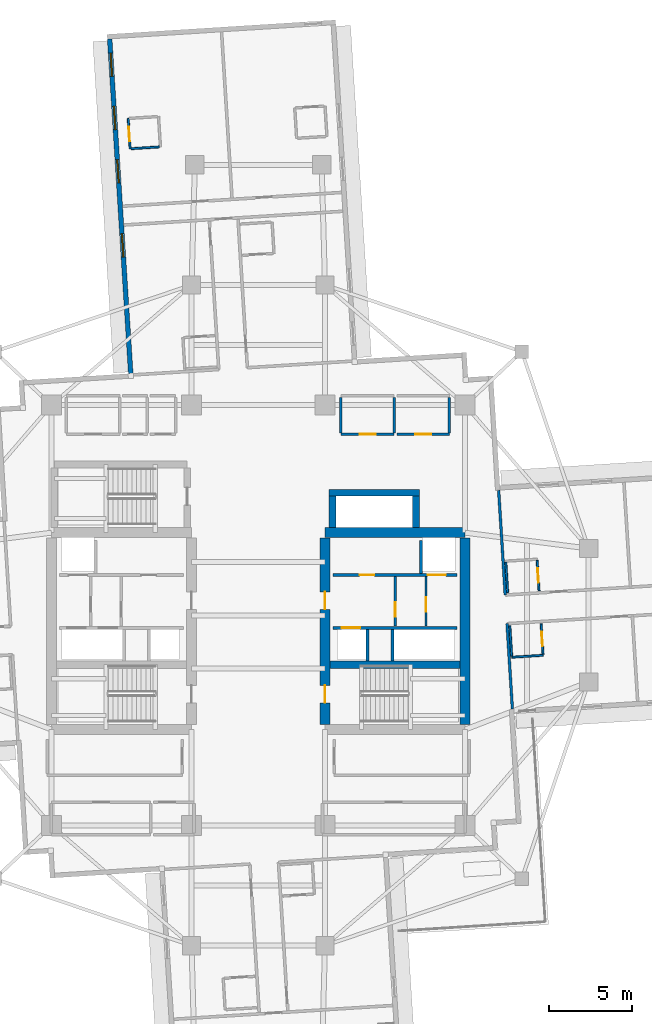
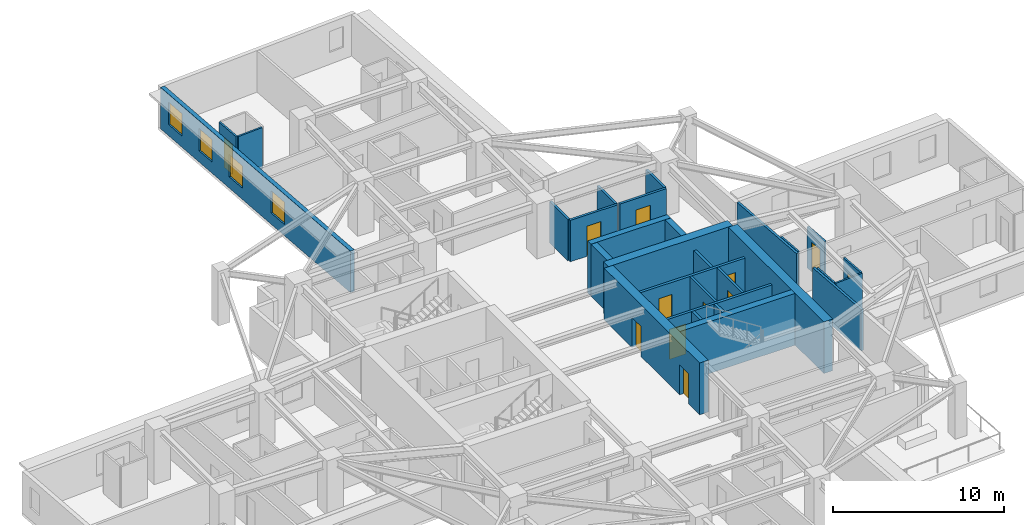
# One storey, part 7 of 14: 29 walls, 12 doors, 4 windows, 16 openings.
"""IFC4 building model written with IfcOpenShell, lengths in metres."""

import ifcopenshell
import ifcopenshell.guid

model = None  # the IFC model being written
_history = None  # IfcOwnerHistory: only IFC2X3 demands one
_inside = {}  # id of a spatial element -> (the spatial element, [elements in it])
_under = {}  # id of a project, library or spatial element -> (it, [spatial elements below it])
_declared = {}  # id of a project -> (the project, [libraries it declares])
_typed = {}  # id of a type object -> (the type object, [elements of that type])
_made_of = {}  # id of a material, layer set ... -> (it, [elements and type objects made of it])


def new_model(schema):
    """Start an empty IFC model of exactly this schema.

    Asked for "IFC4X3", IfcOpenShell would pick the latest addendum, in which some entities
    have other attributes; the version numbers below select the first issue.
    IFC2X3 requires an IfcOwnerHistory on every rooted entity: one is made here for all.
    """
    global model, _history
    if schema == "IFC4X3":
        model = ifcopenshell.file(schema_version=(4, 3, 0, 0))
    else:
        model = ifcopenshell.file(schema=schema)
    _inside.clear()
    _under.clear()
    _declared.clear()
    _typed.clear()
    _made_of.clear()
    _history = None
    if model.schema == "IFC2X3":
        org = make("IfcOrganization", Name="unknown")
        user = make(
            "IfcPersonAndOrganization",
            ThePerson=make("IfcPerson", FamilyName="unknown"),
            TheOrganization=org,
        )
        app = make(
            "IfcApplication",
            ApplicationDeveloper=org,
            Version="unknown",
            ApplicationFullName="unknown",
            ApplicationIdentifier="unknown",
        )
        _history = make(
            "IfcOwnerHistory",
            OwningUser=user,
            OwningApplication=app,
            ChangeAction="ADDED",
            CreationDate=0,
        )
    return model


def make(cls, **values):
    """One entity of the class cls with the attributes given. An attribute that is None is left unset."""
    return model.create_entity(
        cls, **{name: value for name, value in values.items() if value is not None}
    )


def rooted(cls, **values):
    """An entity with a GlobalId (a new one), such as an element, a storey or a relation."""
    return make(cls, GlobalId=ifcopenshell.guid.new(), OwnerHistory=_history, **values)


def si_unit(unit_type, name, prefix=None):
    """IfcSIUnit, for example si_unit("LENGTHUNIT", "METRE", prefix="MILLI")."""
    return make("IfcSIUnit", UnitType=unit_type, Prefix=prefix, Name=name)


def assignment(units):
    """IfcUnitAssignment: the units of a project."""
    return None if units is None else make("IfcUnitAssignment", Units=units)


def point(xyz):
    """IfcCartesianPoint."""
    return None if xyz is None else make("IfcCartesianPoint", Coordinates=xyz)


def direction(xyz):
    """IfcDirection."""
    return None if xyz is None else make("IfcDirection", DirectionRatios=xyz)


def frame(location, z_axis=None, x_axis=None):
    """IfcAxis2Placement3D, a coordinate frame: its origin and axes. An axis left out is left unset."""
    return make(
        "IfcAxis2Placement3D",
        Location=point(location),
        Axis=direction(z_axis),
        RefDirection=direction(x_axis),
    )


def frame_2d(location, x_axis=None):
    """IfcAxis2Placement2D, a coordinate frame in the plane: its origin and x axis."""
    return make(
        "IfcAxis2Placement2D", Location=point(location), RefDirection=direction(x_axis)
    )


def origin():
    """The frame at (0, 0, 0) with its axes left unset."""
    return frame((0.0, 0.0, 0.0))


def place(relative_to, where):
    """IfcLocalPlacement: puts the frame where relative to a parent placement (None: the world)."""
    return make(
        "IfcLocalPlacement", PlacementRelTo=relative_to, RelativePlacement=where
    )


def context(
    kind, dimensions, precision=None, world=None, true_north=None, identifier=None
):
    """IfcGeometricRepresentationContext, for example the 3D "Model" context."""
    return make(
        "IfcGeometricRepresentationContext",
        ContextIdentifier=identifier,
        ContextType=kind,
        CoordinateSpaceDimension=dimensions,
        Precision=precision,
        WorldCoordinateSystem=world,
        TrueNorth=true_north,
    )


def subcontext(parent, identifier, kind, view, scale=None):
    """IfcGeometricRepresentationSubContext, for example "Body" below "Model"."""
    return make(
        "IfcGeometricRepresentationSubContext",
        ContextIdentifier=identifier,
        ContextType=kind,
        ParentContext=parent,
        TargetScale=scale,
        TargetView=view,
    )


def project(units=None, contexts=None):
    """IfcProject with its units and contexts."""
    return rooted(
        "IfcProject",
        Name="project",
        RepresentationContexts=contexts,
        UnitsInContext=assignment(units),
    )


def spatial(cls, under=None, at=None, **own):
    """A site, building, storey or space (cls), placed at a placement, below another one or the project."""
    s = rooted(cls, ObjectPlacement=at, **own)
    if under is not None:
        _under.setdefault(under.id(), (under, []))[1].append(s)
    return s


def profile(cls, at=None, kind="AREA", **sizes):
    """A parametric profile (cls). Its sizes go by their IFC names, for example OverallWidth=200.0."""
    return make(cls, ProfileType=kind, Position=at, **sizes)


def rectangle(**sizes):
    """IfcRectangleProfileDef."""
    return profile("IfcRectangleProfileDef", **sizes)


def extrude(swept, where, along, depth):
    """IfcExtrudedAreaSolid: the profile swept, set in the frame where, extruded along a direction by depth."""
    return make(
        "IfcExtrudedAreaSolid",
        SweptArea=swept,
        Position=where,
        ExtrudedDirection=direction(along),
        Depth=depth,
    )


def shape(context_of_items, identifier, shape_type, items):
    """IfcShapeRepresentation: the items that make up one representation, for example the "Body"."""
    return make(
        "IfcShapeRepresentation",
        ContextOfItems=context_of_items,
        RepresentationIdentifier=identifier,
        RepresentationType=shape_type,
        Items=items,
    )


def material(Name=None, Category=None):
    """IfcMaterial."""
    return make("IfcMaterial", Name=Name, Category=Category)


def layer(
    of_material, thickness, ventilated=None, Name=None, Category=None, Priority=None
):
    """IfcMaterialLayer: one layer of a wall or slab, of a material (None: an air gap)."""
    return make(
        "IfcMaterialLayer",
        Material=of_material,
        LayerThickness=thickness,
        IsVentilated=ventilated,
        Name=Name,
        Category=Category,
        Priority=Priority,
    )


def layer_set(layers, Name=None):
    """IfcMaterialLayerSet."""
    return make("IfcMaterialLayerSet", MaterialLayers=layers, LayerSetName=Name)


def made_of(thing, what):
    """Note that an element or type object is made of a material, layer set ...; save() writes the relation."""
    if what is not None:
        _made_of.setdefault(what.id(), (what, []))[1].append(thing)
    return thing


def type_object(cls, material=None, **own):
    """A type object (cls), such as IfcWallType, which elements share."""
    return made_of(rooted(cls, **own), material)


def element(
    cls,
    number,
    at=None,
    inside=None,
    cuts=None,
    type_object=None,
    material=None,
    context=None,
    identifier="Body",
    shape_type=None,
    held_by="IfcProductDefinitionShape",
    body=None,
    shapes=None,
    **own,
):
    """One element of the class cls, such as IfcWall. Its Tag is "e" and its number.

    at: its placement. inside: the storey or other place that contains it. cuts: it is an
    opening in that element (IfcRelVoidsElement). A single representation is given by context,
    identifier, shape_type and body (its items); several are given by shapes. held_by: the class
    of the entity that holds the representations. save() writes the other relations.
    """
    e = rooted(cls, Tag="e%d" % number, ObjectPlacement=at, **own)
    if body is not None:
        shapes = [shape(context, identifier, shape_type, body)]
    if shapes is not None:
        e.Representation = make(held_by, Representations=shapes)
    if inside is not None:
        _inside.setdefault(inside.id(), (inside, []))[1].append(e)
    if cuts is not None:
        rooted(
            "IfcRelVoidsElement", RelatingBuildingElement=cuts, RelatedOpeningElement=e
        )
    if type_object is not None:
        _typed.setdefault(type_object.id(), (type_object, []))[1].append(e)
    return made_of(e, material)


def fill(opening, filler):
    """IfcRelFillsElement: the door or window that sits in an opening."""
    return rooted(
        "IfcRelFillsElement",
        RelatingOpeningElement=opening,
        RelatedBuildingElement=filler,
    )


def aggregate(whole, parts):
    """IfcRelAggregates: a whole, such as a stair, and the parts it consists of."""
    return rooted("IfcRelAggregates", RelatingObject=whole, RelatedObjects=parts)


def save(model, path):
    """Write the relations noted so far, then the file.

    IfcRelAggregates (storeys below a building ...), IfcRelContainedInSpatialStructure (elements
    in a storey), IfcRelDefinesByType, IfcRelAssociatesMaterial and IfcRelDeclares: one each for
    every whole, place, type object, material and project.
    """
    for whole, parts in _under.values():
        aggregate(whole, parts)
    for where, things in _inside.values():
        rooted(
            "IfcRelContainedInSpatialStructure",
            RelatedElements=things,
            RelatingStructure=where,
        )
    for kind, things in _typed.values():
        rooted("IfcRelDefinesByType", RelatedObjects=things, RelatingType=kind)
    for what, things in _made_of.values():
        rooted("IfcRelAssociatesMaterial", RelatedObjects=things, RelatingMaterial=what)
    for by, libraries in _declared.values():
        rooted("IfcRelDeclares", RelatingContext=by, RelatedDefinitions=libraries)
    model.write(path)


model = new_model("IFC4")

# Units and contexts
model_context = context("Model", 3, precision=1e-05, world=origin(), true_north=direction((0.0, 1.0)))
body_context = subcontext(model_context, "Body", "Model", "MODEL_VIEW")
ifc_project = project(units=[si_unit("LENGTHUNIT", "METRE"), si_unit("AREAUNIT", "SQUARE_METRE"), si_unit("VOLUMEUNIT", "CUBIC_METRE"), si_unit("PLANEANGLEUNIT", "RADIAN"), si_unit("MASSUNIT", "GRAM", prefix="KILO")], contexts=[model_context])

# Site, building, storey
site_placement = place(None, origin())
site = spatial("IfcSite", under=ifc_project, at=site_placement, CompositionType="ELEMENT")
building_placement = place(site_placement, origin())
building = spatial("IfcBuilding", under=site, at=building_placement, Name="Qingluan Cross Belvedere", CompositionType="ELEMENT")
storey_placement = place(building_placement, frame((0.0, 0.0, 120.300048828125)))
storey = spatial("IfcBuildingStorey", under=building, at=storey_placement, Name="L30", CompositionType="ELEMENT", Elevation=120.300048828125)

# Walls
ifc_material_1 = material(Name="Concrete C50", Category="concrete")
ifc_layer_1 = layer(ifc_material_1, 0.449951171875, Name="CoreShearWall_450")
ifc_layer_set_1 = layer_set([ifc_layer_1], Name="Concrete C50")
wall_type_1 = type_object("IfcWallType", Name="CoreShearWall_450", PredefinedType="SHEAR", material=ifc_layer_set_1)
wall_1_placement = place(storey_placement, frame((4.304931640625, -2.9599609375, 0.0), z_axis=(0.0, 0.0, 1.0), x_axis=(1.0, 0.0, 0.0)))
element("IfcWall", 1, at=wall_1_placement, inside=storey, type_object=wall_type_1, Name="Split core E shear wall L30-M", PredefinedType="SHEAR", context=body_context, shape_type="SweptSolid", body=[
    extrude(rectangle(XDim=7.7900390625, YDim=0.449951171875, at=frame_2d((3.89501953125, 0.0))), origin(), (0.0, 0.0, 1.0), 3.699951171875),
])
wall_2_placement = place(storey_placement, frame((4.449951171875, 5.2548828125, 0.0), z_axis=(0.0, 0.0, 1.0), x_axis=(0.0, 1.0, 0.0)))
element("IfcWall", 2, at=wall_2_placement, inside=storey, type_object=wall_type_1, Name="Express shuttle core wall L30-W", PredefinedType="SHEAR", context=body_context, shape_type="SweptSolid", body=[
    extrude(rectangle(XDim=1.885009765625, YDim=0.39990234375, at=frame_2d((0.9423828125, 0.0))), origin(), (0.0, 0.0, 1.0), 3.699951171875),
])
wall_3_placement = place(storey_placement, frame((4.25, 7.35009765625, 0.0), z_axis=(0.0, 0.0, 1.0), x_axis=(1.0, 0.0, 0.0)))
element("IfcWall", 3, at=wall_3_placement, inside=storey, type_object=wall_type_1, Name="Express shuttle core wall L30-N", PredefinedType="SHEAR", context=body_context, shape_type="SweptSolid", body=[
    extrude(rectangle(XDim=5.39990234375, YDim=0.39990234375, at=frame_2d((2.699951171875, 0.0))), origin(), (0.0, 0.0, 1.0), 3.699951171875),
])
wall_4_placement = place(storey_placement, frame((9.449951171875, 5.2548828125, 0.0), z_axis=(0.0, 0.0, 1.0), x_axis=(0.0, 1.0, 0.0)))
element("IfcWall", 4, at=wall_4_placement, inside=storey, type_object=wall_type_1, Name="Express shuttle core wall L30-E", PredefinedType="SHEAR", context=body_context, shape_type="SweptSolid", body=[
    extrude(rectangle(XDim=1.885009765625, YDim=0.39990234375, at=frame_2d((0.9423828125, 0.0))), origin(), (0.0, 0.0, 1.0), 3.699951171875),
])
ifc_material_2 = material(Name="Concrete C60", Category="concrete")
ifc_layer_2 = layer(ifc_material_2, 0.60009765625, Name="CoreShearWall_600")
ifc_layer_set_2 = layer_set([ifc_layer_2], Name="Concrete C60")
wall_type_2 = type_object("IfcWallType", Name="CoreShearWall_600", PredefinedType="SHEAR", material=ifc_layer_set_2)
wall_5_placement = place(storey_placement, frame((4.0, 4.949951171875, 0.0), z_axis=(0.0, 0.0, 1.0), x_axis=(1.0, 0.0, 0.0)))
element("IfcWall", 5, at=wall_5_placement, inside=storey, type_object=wall_type_2, Name="Split core E shear wall L30-N", PredefinedType="SHEAR", context=body_context, shape_type="SweptSolid", body=[
    extrude(rectangle(XDim=8.39990234375, YDim=0.60009765625, at=frame_2d((4.199951171875, 0.0))), origin(), (0.0, 0.0, 1.0), 3.699951171875),
])

# Wall, openings, doors
wall_6_placement = place(storey_placement, frame((4.0, -6.544921875, 0.0), z_axis=(0.0, 0.0, 1.0), x_axis=(0.0, 1.0, 0.0)))
wall_6 = element("IfcWall", 6, at=wall_6_placement, inside=storey, type_object=wall_type_2, Name="Split core E shear wall L30-W", PredefinedType="SHEAR", context=body_context, shape_type="SweptSolid", body=[
    extrude(rectangle(XDim=11.18994140625, YDim=0.60009765625, at=frame_2d((5.594970703125, 0.0))), origin(), (0.0, 0.0, 1.0), 3.699951171875),
])
opening_1_placement = place(wall_6_placement, frame((1.294921875, 0.0, 0.0)))
opening_1 = element("IfcOpeningElement", 7, at=opening_1_placement, cuts=wall_6, Name="Opening FD-B11", PredefinedType="OPENING", context=body_context, shape_type="SweptSolid", body=[
    extrude(rectangle(XDim=1.050048828125, YDim=2.14990234375, at=frame_2d((0.52490234375, 1.074951171875))), frame((0.0, 0.31005859375, 0.0), z_axis=(0.0, -1.0, 0.0), x_axis=(1.0, 0.0, 0.0)), (0.0, 0.0, 1.0), 0.6201171875),
])
opening_2_placement = place(wall_6_placement, frame((6.89501953125, 0.0, 0.0)))
opening_2 = element("IfcOpeningElement", 8, at=opening_2_placement, cuts=wall_6, Name="Opening FD-B11", PredefinedType="OPENING", context=body_context, shape_type="SweptSolid", body=[
    extrude(rectangle(XDim=1.050048828125, YDim=2.14990234375, at=frame_2d((0.52490234375, 1.074951171875))), frame((0.0, 0.31005859375, 0.0), z_axis=(0.0, -1.0, 0.0), x_axis=(1.0, 0.0, 0.0)), (0.0, 0.0, 1.0), 0.6201171875),
])
ifc_material_3 = material(Name="Steel Class B smoke-seal fire door", Category="steel")
door_type_1 = type_object("IfcDoorType", Name="StairLobbyFireDoor_FDB", OperationType="NOTDEFINED", PredefinedType="DOOR", material=ifc_material_3)
door_1_placement = place(opening_1_placement, origin())
door_1 = element("IfcDoor", 9, at=door_1_placement, inside=storey, type_object=door_type_1, Name="Smoke-proof stair ST2 fire door L30", OperationType="SINGLE_SWING_LEFT", OverallHeight=2.14990234375, OverallWidth=1.050048828125, PredefinedType="DOOR", context=body_context, shape_type="SweptSolid", body=[
    extrude(rectangle(XDim=1.050048828125, YDim=2.14990234375, at=frame_2d((0.52490234375, 1.074951171875))), frame((0.0, 0.02490234375, 0.0), z_axis=(0.0, -1.0, 0.0), x_axis=(1.0, 0.0, 0.0)), (0.0, 0.0, 1.0), 0.050048828125),
])
fill(opening_1, door_1)
door_2_placement = place(opening_2_placement, origin())
door_2 = element("IfcDoor", 10, at=door_2_placement, inside=storey, type_object=door_type_1, Name="Firefighting lobby East fire door L30", OperationType="SINGLE_SWING_LEFT", OverallHeight=2.14990234375, OverallWidth=1.050048828125, PredefinedType="DOOR", context=body_context, shape_type="SweptSolid", body=[
    extrude(rectangle(XDim=1.050048828125, YDim=2.14990234375, at=frame_2d((0.52490234375, 1.074951171875))), frame((0.0, 0.02490234375, 0.0), z_axis=(0.0, -1.0, 0.0), x_axis=(1.0, 0.0, 0.0)), (0.0, 0.0, 1.0), 0.050048828125),
])
fill(opening_2, door_2)

# Wall
wall_7_placement = place(storey_placement, frame((12.39990234375, -6.544921875, 0.0), z_axis=(0.0, 0.0, 1.0), x_axis=(0.0, 1.0, 0.0)))
element("IfcWall", 11, at=wall_7_placement, inside=storey, type_object=wall_type_2, Name="Split core E shear wall L30-E", PredefinedType="SHEAR", context=body_context, shape_type="SweptSolid", body=[
    extrude(rectangle(XDim=11.18994140625, YDim=0.60009765625, at=frame_2d((5.594970703125, 0.0))), origin(), (0.0, 0.0, 1.0), 3.699951171875),
])

# Wall, opening, door
ifc_material_4 = material(Name="Gypsum plasterboard on steel stud acoustic partition", Category="steel")
ifc_layer_3 = layer(ifc_material_4, 0.159912109375, Name="CorridorPartition_160")
ifc_layer_set_3 = layer_set([ifc_layer_3], Name="Gypsum plasterboard on steel stud acoustic partition")
wall_type_3 = type_object("IfcWallType", Name="CorridorPartition_160", PredefinedType="PARTITIONING", material=ifc_layer_set_3)
wall_8_placement = place(storey_placement, frame((10.050048828125, -0.652099609375, 0.0), z_axis=(0.0, 0.0, 1.0), x_axis=(0.0, 1.0, 0.0)))
wall_8 = element("IfcWall", 12, at=wall_8_placement, inside=storey, type_object=wall_type_3, Name="Partition L30:ev", PredefinedType="PARTITIONING", context=body_context, shape_type="SweptSolid", body=[
    extrude(rectangle(XDim=2.962158203125, YDim=0.139892578125, at=frame_2d((1.48095703125, 0.0))), origin(), (0.0, 0.0, 1.0), 2.9599609375),
])
opening_3_placement = place(wall_8_placement, frame((0.85009765625, 0.0, 0.0)))
opening_3 = element("IfcOpeningElement", 13, at=opening_3_placement, cuts=wall_8, Name="Opening FD-B10", PredefinedType="OPENING", context=body_context, shape_type="SweptSolid", body=[
    extrude(rectangle(XDim=0.8798828125, YDim=2.10009765625, at=frame_2d((0.43994140625, 1.050048828125))), frame((0.0, 0.079833984375, 0.0), z_axis=(0.0, -1.0, 0.0), x_axis=(1.0, 0.0, 0.0)), (0.0, 0.0, 1.0), 0.159912109375),
])
ifc_material_5 = material(Name="Steel Class B service fire door", Category="steel")
door_type_2 = type_object("IfcDoorType", Name="RiserServiceFireDoor_FDB", OperationType="NOTDEFINED", PredefinedType="DOOR", material=ifc_material_5)
door_3_placement = place(opening_3_placement, origin())
door_3 = element("IfcDoor", 14, at=door_3_placement, inside=storey, type_object=door_type_2, Name="Service closet inner door L30", OperationType="SINGLE_SWING_RIGHT", OverallHeight=2.10009765625, OverallWidth=0.8798828125, PredefinedType="DOOR", context=body_context, shape_type="SweptSolid", body=[
    extrude(rectangle(XDim=0.8798828125, YDim=2.10009765625, at=frame_2d((0.43994140625, 1.050048828125))), frame((0.0, 0.02490234375, 0.0), z_axis=(0.0, -1.0, 0.0), x_axis=(1.0, 0.0, 0.0)), (0.0, 0.0, 1.0), 0.050048828125),
])
fill(opening_3, door_3)

wall_9_placement = place(storey_placement, frame((4.949951171875, 10.85009765625, 0.0), z_axis=(0.0, 0.0, 1.0), x_axis=(1.0, 0.0, 0.0)))
wall_9 = element("IfcWall", 15, at=wall_9_placement, inside=storey, type_object=wall_type_3, Name="Partition L30:q_ne1:S", PredefinedType="PARTITIONING", context=body_context, shape_type="SweptSolid", body=[
    extrude(rectangle(XDim=3.199951171875, YDim=0.159912109375, at=frame_2d((1.60009765625, 0.0))), origin(), (0.0, 0.0, 1.0), 2.9599609375),
])
opening_4_placement = place(wall_9_placement, frame((1.1201171875, 0.0, 0.0)))
opening_4 = element("IfcOpeningElement", 16, at=opening_4_placement, cuts=wall_9, Name="Opening GD-10", PredefinedType="OPENING", context=body_context, shape_type="SweptSolid", body=[
    extrude(rectangle(XDim=0.9599609375, YDim=2.14990234375, at=frame_2d((0.47998046875, 1.074951171875))), frame((0.0, 0.08984375, 0.0), z_axis=(0.0, -1.0, 0.0), x_axis=(1.0, 0.0, 0.0)), (0.0, 0.0, 1.0), 0.179931640625),
])
ifc_material_6 = material(Name="Timber oak fire-rated acoustic guestroom door", Category="wood")
door_type_3 = type_object("IfcDoorType", Name="GuestEntryDoor_FD60", OperationType="NOTDEFINED", PredefinedType="DOOR", material=ifc_material_6)
door_4_placement = place(opening_4_placement, origin())
door_4 = element("IfcDoor", 17, at=door_4_placement, inside=storey, type_object=door_type_3, Name="Private banquet dining room L30 door", OperationType="SINGLE_SWING_LEFT", OverallHeight=2.14990234375, OverallWidth=0.9599609375, PredefinedType="DOOR", context=body_context, shape_type="SweptSolid", body=[
    extrude(rectangle(XDim=0.9599609375, YDim=2.14990234375, at=frame_2d((0.47998046875, 1.074951171875))), frame((0.0, 0.02490234375, 0.0), z_axis=(0.0, -1.0, 0.0), x_axis=(1.0, 0.0, 0.0)), (0.0, 0.0, 1.0), 0.050048828125),
])
fill(opening_4, door_4)

# Walls
for number, where, z_axis, x_axis, name in (
    (18, (4.949951171875, 10.93505859375, 0.0), (0.0, 0.0, 1.0), (0.0, 1.0, 0.0), "Partition L30:q_ne1:W"),
    (19, (8.14990234375, 10.93505859375, 0.0), (0.0, 0.0, 1.0), (0.0, 1.0, 0.0), "Partition L30:q_ne1:E"),
):
    element("IfcWall", number, at=place(storey_placement, frame(where, z_axis=z_axis, x_axis=x_axis)), inside=storey, type_object=wall_type_3, Name=name, PredefinedType="PARTITIONING", context=body_context, shape_type="SweptSolid", body=[
        extrude(rectangle(XDim=2.1298828125, YDim=0.159912109375, at=frame_2d((1.06494140625, 0.0))), origin(), (0.0, 0.0, 1.0), 2.9599609375),
    ])

# Wall, opening, door
wall_10_placement = place(storey_placement, frame((8.31005859375, 10.85009765625, 0.0), z_axis=(0.0, 0.0, 1.0), x_axis=(1.0, 0.0, 0.0)))
wall_10 = element("IfcWall", 20, at=wall_10_placement, inside=storey, type_object=wall_type_3, Name="Partition L30:q_ne2:S", PredefinedType="PARTITIONING", context=body_context, shape_type="SweptSolid", body=[
    extrude(rectangle(XDim=3.139892578125, YDim=0.159912109375, at=frame_2d((1.56982421875, 0.0))), origin(), (0.0, 0.0, 1.0), 2.9599609375),
])
opening_5_placement = place(wall_10_placement, frame((1.090087890625, 0.0, 0.0)))
opening_5 = element("IfcOpeningElement", 21, at=opening_5_placement, cuts=wall_10, Name="Opening GD-10", PredefinedType="OPENING", context=body_context, shape_type="SweptSolid", body=[
    extrude(rectangle(XDim=0.9599609375, YDim=2.14990234375, at=frame_2d((0.47998046875, 1.074951171875))), frame((0.0, 0.08984375, 0.0), z_axis=(0.0, -1.0, 0.0), x_axis=(1.0, 0.0, 0.0)), (0.0, 0.0, 1.0), 0.179931640625),
])
door_5_placement = place(opening_5_placement, origin())
door_5 = element("IfcDoor", 22, at=door_5_placement, inside=storey, type_object=door_type_3, Name="Northeast quiet study L30 door", OperationType="SINGLE_SWING_RIGHT", OverallHeight=2.14990234375, OverallWidth=0.9599609375, PredefinedType="DOOR", context=body_context, shape_type="SweptSolid", body=[
    extrude(rectangle(XDim=0.9599609375, YDim=2.14990234375, at=frame_2d((0.47998046875, 1.074951171875))), frame((0.0, 0.02490234375, 0.0), z_axis=(0.0, -1.0, 0.0), x_axis=(1.0, 0.0, 0.0)), (0.0, 0.0, 1.0), 0.050048828125),
])
fill(opening_5, door_5)

# Walls
wall_11_placement = place(storey_placement, frame((11.449951171875, 10.93505859375, 0.0), z_axis=(0.0, 0.0, 1.0), x_axis=(0.0, 1.0, 0.0)))
element("IfcWall", 23, at=wall_11_placement, inside=storey, type_object=wall_type_3, Name="Partition L30:q_ne2:E", PredefinedType="PARTITIONING", context=body_context, shape_type="SweptSolid", body=[
    extrude(rectangle(XDim=2.1298828125, YDim=0.159912109375, at=frame_2d((1.06494140625, 0.0))), origin(), (0.0, 0.0, 1.0), 2.9599609375),
])
wall_12_placement = place(storey_placement, frame((14.802978515625, 1.2119140625, 0.0), z_axis=(0.0, 0.0, 1.0), x_axis=(-0.062781701496, 0.998027283173, 0.0)))
element("IfcWall", 24, at=wall_12_placement, inside=storey, type_object=wall_type_3, Name="Partition L30:E:s0", PredefinedType="PARTITIONING", context=body_context, shape_type="SweptSolid", body=[
    extrude(rectangle(XDim=6.2919921875, YDim=0.159912109375, at=frame_2d((3.14599609375, 0.0))), origin(), (0.0, 0.0, 1.0), 2.9599609375),
])
wall_13_placement = place(storey_placement, frame((14.9111328125, -0.504638671875, 0.0), z_axis=(0.0, 0.0, 1.0), x_axis=(0.062792901986, -0.998026578534, 0.0)))
element("IfcWall", 25, at=wall_13_placement, inside=storey, type_object=wall_type_3, Name="Partition L30:E:s1", PredefinedType="PARTITIONING", context=body_context, shape_type="SweptSolid", body=[
    extrude(rectangle(XDim=5.132080078125, YDim=0.159912109375, at=frame_2d((2.56591796875, 0.0))), origin(), (0.0, 0.0, 1.0), 2.9599609375),
])

# Wall, opening, door
ifc_material_7 = material(Name="Moisture-resistant gypsum board lining")
ifc_layer_4 = layer(ifc_material_7, 0.1201171875, Name="EnsuiteWetPartition_120")
ifc_layer_set_4 = layer_set([ifc_layer_4], Name="Moisture-resistant gypsum board lining")
wall_type_4 = type_object("IfcWallType", Name="EnsuiteWetPartition_120", PredefinedType="PARTITIONING", material=ifc_layer_set_4)
wall_14_placement = place(storey_placement, frame((16.830322265625, 1.479736328125, 0.0), z_axis=(0.0, 0.0, 1.0), x_axis=(-0.062779145668, 0.998027443946, 0.0)))
wall_14 = element("IfcWall", 26, at=wall_14_placement, inside=storey, type_object=wall_type_4, Name="Partition L30:E:bs0_0", PredefinedType="PARTITIONING", context=body_context, shape_type="SweptSolid", body=[
    extrude(rectangle(XDim=1.820068359375, YDim=0.1201171875, at=frame_2d((0.91015625, 0.0))), origin(), (0.0, 0.0, 1.0), 2.9599609375),
])
opening_6_placement = place(wall_14_placement, frame((0.469970703125, 0.0, 0.0)))
opening_6 = element("IfcOpeningElement", 27, at=opening_6_placement, cuts=wall_14, Name="Opening BD-09", PredefinedType="OPENING", context=body_context, shape_type="SweptSolid", body=[
    extrude(rectangle(XDim=0.8798828125, YDim=2.10009765625, at=frame_2d((0.43994140625, 1.050048828125))), frame((0.0, 0.070068359375, 0.0), z_axis=(0.0, -1.0, 0.0), x_axis=(1.0, 0.0, 0.0)), (0.0, 0.0, 1.0), 0.14013671875),
])
ifc_material_8 = material(Name="Moisture-sealed timber en-suite door", Category="wood")
door_type_4 = type_object("IfcDoorType", Name="BathroomDoor_880", OperationType="NOTDEFINED", PredefinedType="DOOR", material=ifc_material_8)
door_6_placement = place(opening_6_placement, origin())
door_6 = element("IfcDoor", 28, at=door_6_placement, inside=storey, type_object=door_type_4, Name="Bathroom door 3001", OperationType="SINGLE_SWING_LEFT", OverallHeight=2.10009765625, OverallWidth=0.8798828125, PredefinedType="DOOR", context=body_context, shape_type="SweptSolid", body=[
    extrude(rectangle(XDim=0.8798828125, YDim=2.10009765625, at=frame_2d((0.43994140625, 1.050048828125))), frame((0.0, 0.02490234375, 0.0), z_axis=(0.0, -1.0, 0.0), x_axis=(1.0, 0.0, 0.0)), (0.0, 0.0, 1.0), 0.050048828125),
])
fill(opening_6, door_6)

# Wall
wall_15_placement = place(storey_placement, frame((14.9541015625, 1.36181640625, 0.0), z_axis=(0.0, 0.0, 1.0), x_axis=(-0.062921182436, 0.998018499228, 0.0)))
element("IfcWall", 29, at=wall_15_placement, inside=storey, type_object=wall_type_4, Name="Partition L30:E:bw0_0", PredefinedType="PARTITIONING", context=body_context, shape_type="SweptSolid", body=[
    extrude(rectangle(XDim=1.81982421875, YDim=0.1201171875, at=frame_2d((0.909912109375, 0.0))), origin(), (0.0, 0.0, 1.0), 2.9599609375),
])

# Wall, opening, door
wall_16_placement = place(storey_placement, frame((17.0703125, -2.332763671875, 0.0), z_axis=(0.0, 0.0, 1.0), x_axis=(-0.062912758763, 0.998019030272, 0.0)))
wall_16 = element("IfcWall", 30, at=wall_16_placement, inside=storey, type_object=wall_type_4, Name="Partition L30:E:bs1_0", PredefinedType="PARTITIONING", context=body_context, shape_type="SweptSolid", body=[
    extrude(rectangle(XDim=1.820068359375, YDim=0.1201171875, at=frame_2d((0.91015625, 0.0))), origin(), (0.0, 0.0, 1.0), 2.9599609375),
])
opening_7_placement = place(wall_16_placement, frame((0.469970703125, 0.0, 0.0)))
opening_7 = element("IfcOpeningElement", 31, at=opening_7_placement, cuts=wall_16, Name="Opening BD-09", PredefinedType="OPENING", context=body_context, shape_type="SweptSolid", body=[
    extrude(rectangle(XDim=0.8798828125, YDim=2.10009765625, at=frame_2d((0.43994140625, 1.050048828125))), frame((0.0, 0.070068359375, 0.0), z_axis=(0.0, -1.0, 0.0), x_axis=(1.0, 0.0, 0.0)), (0.0, 0.0, 1.0), 0.14013671875),
])
door_7_placement = place(opening_7_placement, origin())
door_7 = element("IfcDoor", 32, at=door_7_placement, inside=storey, type_object=door_type_4, Name="Bathroom door 3003", OperationType="SINGLE_SWING_LEFT", OverallHeight=2.10009765625, OverallWidth=0.8798828125, PredefinedType="DOOR", context=body_context, shape_type="SweptSolid", body=[
    extrude(rectangle(XDim=0.8798828125, YDim=2.10009765625, at=frame_2d((0.43994140625, 1.050048828125))), frame((0.0, 0.02490234375, 0.0), z_axis=(0.0, -1.0, 0.0), x_axis=(1.0, 0.0, 0.0)), (0.0, 0.0, 1.0), 0.050048828125),
])
fill(opening_7, door_7)

# Walls
wall_17_placement = place(storey_placement, frame((15.19384765625, -2.45068359375, 0.0), z_axis=(0.0, 0.0, 1.0), x_axis=(-0.062787551592, 0.998026915151, 0.0)))
element("IfcWall", 33, at=wall_17_placement, inside=storey, type_object=wall_type_4, Name="Partition L30:E:bw1_0", PredefinedType="PARTITIONING", context=body_context, shape_type="SweptSolid", body=[
    extrude(rectangle(XDim=1.81982421875, YDim=0.1201171875, at=frame_2d((0.909912109375, 0.0))), origin(), (0.0, 0.0, 1.0), 2.9599609375),
])
wall_18_placement = place(storey_placement, frame((15.197998046875, -2.515625, 0.0), z_axis=(0.0, 0.0, 1.0), x_axis=(0.998030789148, 0.062725942896, 0.0)))
element("IfcWall", 34, at=wall_18_placement, inside=storey, type_object=wall_type_4, Name="Partition L30:E:bc1_0", PredefinedType="PARTITIONING", context=body_context, shape_type="SweptSolid", body=[
    extrude(rectangle(XDim=1.8798828125, YDim=0.1201171875, at=frame_2d((0.93994140625, 0.0))), origin(), (0.0, 0.0, 1.0), 2.9599609375),
])

# Wall, opening, door
wall_19_placement = place(storey_placement, frame((-7.680908203125, 27.962890625, 0.0), z_axis=(0.0, 0.0, 1.0), x_axis=(-0.062779145668, 0.998027443946, 0.0)))
wall_19 = element("IfcWall", 35, at=wall_19_placement, inside=storey, type_object=wall_type_4, Name="Partition L30:Ncap:b1s", PredefinedType="PARTITIONING", context=body_context, shape_type="SweptSolid", body=[
    extrude(rectangle(XDim=1.820068359375, YDim=0.1201171875, at=frame_2d((0.91015625, 0.0))), origin(), (0.0, 0.0, 1.0), 2.9599609375),
])
opening_8_placement = place(wall_19_placement, frame((0.449951171875, 0.0, 0.0)))
opening_8 = element("IfcOpeningElement", 36, at=opening_8_placement, cuts=wall_19, Name="Opening BD-09", PredefinedType="OPENING", context=body_context, shape_type="SweptSolid", body=[
    extrude(rectangle(XDim=0.8798828125, YDim=2.10009765625, at=frame_2d((0.43994140625, 1.050048828125))), frame((0.0, 0.070068359375, 0.0), z_axis=(0.0, -1.0, 0.0), x_axis=(1.0, 0.0, 0.0)), (0.0, 0.0, 1.0), 0.14013671875),
])
door_8_placement = place(opening_8_placement, origin())
door_8 = element("IfcDoor", 37, at=door_8_placement, inside=storey, type_object=door_type_4, Name="En-suite bathroom door L30N1", OperationType="SINGLE_SWING_RIGHT", OverallHeight=2.10009765625, OverallWidth=0.8798828125, PredefinedType="DOOR", context=body_context, shape_type="SweptSolid", body=[
    extrude(rectangle(XDim=0.8798828125, YDim=2.10009765625, at=frame_2d((0.43994140625, 1.050048828125))), frame((0.0, 0.02490234375, 0.0), z_axis=(0.0, -1.0, 0.0), x_axis=(1.0, 0.0, 0.0)), (0.0, 0.0, 1.0), 0.050048828125),
])
fill(opening_8, door_8)

# Wall
wall_20_placement = place(storey_placement, frame((-7.62109375, 27.966796875, 0.0), z_axis=(0.0, 0.0, 1.0), x_axis=(0.998029039933, 0.06275376841, 0.0)))
element("IfcWall", 38, at=wall_20_placement, inside=storey, type_object=wall_type_4, Name="Partition L30:Ncap:b1a", PredefinedType="PARTITIONING", context=body_context, shape_type="SweptSolid", body=[
    extrude(rectangle(XDim=1.7001953125, YDim=0.1201171875, at=frame_2d((0.85009765625, 0.0))), origin(), (0.0, 0.0, 1.0), 2.9599609375),
])

# Wall, openings, windows
ifc_material_9 = material(Name="Precast concrete C45", Category="concrete")
ifc_layer_5 = layer(ifc_material_9, 0.280029296875, Name="PrecastFacadeWall_280")
ifc_layer_set_5 = layer_set([ifc_layer_5], Name="Precast concrete C45")
wall_type_5 = type_object("IfcWallType", Name="PrecastFacadeWall_280", PredefinedType="STANDARD", material=ifc_layer_set_5)
wall_21_placement = place(storey_placement, frame((-8.906982421875, 34.548828125, 0.0), z_axis=(0.0, 0.0, 1.0), x_axis=(0.06279645424, -0.99802635503, 0.0)))
wall_21 = element("IfcWall", 39, at=wall_21_placement, inside=storey, type_object=wall_type_5, Name="Facade wall L30-NB", PredefinedType="STANDARD", context=body_context, shape_type="SweptSolid", body=[
    extrude(rectangle(XDim=20.099853515625, YDim=0.280029296875, at=frame_2d((10.0498046875, 0.0))), origin(), (0.0, 0.0, 1.0), 2.969970703125),
])
opening_9_placement = place(wall_21_placement, frame((0.85009765625, 0.0, 0.800048828125)))
opening_9 = element("IfcOpeningElement", 40, at=opening_9_placement, cuts=wall_21, Name="Opening W-01", PredefinedType="OPENING", context=body_context, shape_type="SweptSolid", body=[
    extrude(rectangle(XDim=1.39990234375, YDim=1.60009765625, at=frame_2d((0.699951171875, 0.800048828125))), frame((0.0, 0.14990234375, 0.0), z_axis=(0.0, -1.0, 0.0), x_axis=(1.0, 0.0, 0.0)), (0.0, 0.0, 1.0), 0.300048828125),
])
opening_10_placement = place(wall_21_placement, frame((4.050048828125, 0.0, 0.800048828125)))
opening_10 = element("IfcOpeningElement", 41, at=opening_10_placement, cuts=wall_21, Name="Opening W-01", PredefinedType="OPENING", context=body_context, shape_type="SweptSolid", body=[
    extrude(rectangle(XDim=1.39990234375, YDim=1.60009765625, at=frame_2d((0.699951171875, 0.800048828125))), frame((0.0, 0.14990234375, 0.0), z_axis=(0.0, -1.0, 0.0), x_axis=(1.0, 0.0, 0.0)), (0.0, 0.0, 1.0), 0.300048828125),
])
opening_11_placement = place(wall_21_placement, frame((7.25, 0.0, 0.800048828125)))
opening_11 = element("IfcOpeningElement", 42, at=opening_11_placement, cuts=wall_21, Name="Opening W-01", PredefinedType="OPENING", context=body_context, shape_type="SweptSolid", body=[
    extrude(rectangle(XDim=1.39990234375, YDim=1.60009765625, at=frame_2d((0.699951171875, 0.800048828125))), frame((0.0, 0.14990234375, 0.0), z_axis=(0.0, -1.0, 0.0), x_axis=(1.0, 0.0, 0.0)), (0.0, 0.0, 1.0), 0.300048828125),
])
opening_12_placement = place(wall_21_placement, frame((11.699951171875, 0.0, 0.800048828125)))
opening_12 = element("IfcOpeningElement", 43, at=opening_12_placement, cuts=wall_21, Name="Opening W-01", PredefinedType="OPENING", context=body_context, shape_type="SweptSolid", body=[
    extrude(rectangle(XDim=1.39990234375, YDim=1.60009765625, at=frame_2d((0.699951171875, 0.800048828125))), frame((0.0, 0.14990234375, 0.0), z_axis=(0.0, -1.0, 0.0), x_axis=(1.0, 0.0, 0.0)), (0.0, 0.0, 1.0), 0.300048828125),
])
ifc_material_10 = material(Name="Thermally broken triple Low-E glass in aluminium frame", Category="aluminium")
window_type = type_object("IfcWindowType", Name="TriRibbonWin_1400x1600", PartitioningType="SINGLE_PANEL", PredefinedType="WINDOW", material=ifc_material_10)
window_1_placement = place(opening_9_placement, origin())
window_1 = element("IfcWindow", 44, at=window_1_placement, inside=storey, type_object=window_type, Name="Ribbon window L30-NB-1", OverallHeight=1.60009765625, OverallWidth=1.39990234375, PartitioningType="SINGLE_PANEL", PredefinedType="WINDOW", context=body_context, shape_type="SweptSolid", body=[
    extrude(rectangle(XDim=1.39990234375, YDim=1.60009765625, at=frame_2d((0.699951171875, 0.800048828125))), frame((0.0, 0.030029296875, 0.0), z_axis=(0.0, -1.0, 0.0), x_axis=(1.0, 0.0, 0.0)), (0.0, 0.0, 1.0), 0.06005859375),
])
fill(opening_9, window_1)
window_2_placement = place(opening_10_placement, origin())
window_2 = element("IfcWindow", 45, at=window_2_placement, inside=storey, type_object=window_type, Name="Ribbon window L30-NB-2", OverallHeight=1.60009765625, OverallWidth=1.39990234375, PartitioningType="SINGLE_PANEL", PredefinedType="WINDOW", context=body_context, shape_type="SweptSolid", body=[
    extrude(rectangle(XDim=1.39990234375, YDim=1.60009765625, at=frame_2d((0.699951171875, 0.800048828125))), frame((0.0, 0.030029296875, 0.0), z_axis=(0.0, -1.0, 0.0), x_axis=(1.0, 0.0, 0.0)), (0.0, 0.0, 1.0), 0.06005859375),
])
fill(opening_10, window_2)
window_3_placement = place(opening_11_placement, origin())
window_3 = element("IfcWindow", 46, at=window_3_placement, inside=storey, type_object=window_type, Name="Ribbon window L30-NB-3", OverallHeight=1.60009765625, OverallWidth=1.39990234375, PartitioningType="SINGLE_PANEL", PredefinedType="WINDOW", context=body_context, shape_type="SweptSolid", body=[
    extrude(rectangle(XDim=1.39990234375, YDim=1.60009765625, at=frame_2d((0.699951171875, 0.800048828125))), frame((0.0, 0.030029296875, 0.0), z_axis=(0.0, -1.0, 0.0), x_axis=(1.0, 0.0, 0.0)), (0.0, 0.0, 1.0), 0.06005859375),
])
fill(opening_11, window_3)
window_4_placement = place(opening_12_placement, origin())
window_4 = element("IfcWindow", 47, at=window_4_placement, inside=storey, type_object=window_type, Name="Ribbon window L30-NB-4", OverallHeight=1.60009765625, OverallWidth=1.39990234375, PartitioningType="SINGLE_PANEL", PredefinedType="WINDOW", context=body_context, shape_type="SweptSolid", body=[
    extrude(rectangle(XDim=1.39990234375, YDim=1.60009765625, at=frame_2d((0.699951171875, 0.800048828125))), frame((0.0, 0.030029296875, 0.0), z_axis=(0.0, -1.0, 0.0), x_axis=(1.0, 0.0, 0.0)), (0.0, 0.0, 1.0), 0.06005859375),
])
fill(opening_12, window_4)

# Wall, openings, doors
ifc_material_11 = material(Name="Concrete C40", Category="concrete")
ifc_layer_6 = layer(ifc_material_11, 0.219970703125, Name="ShaftEnclosureWall_250")
ifc_layer_set_6 = layer_set([ifc_layer_6], Name="Concrete C40")
wall_type_6 = type_object("IfcWallType", Name="ShaftEnclosureWall_250", PredefinedType="SOLIDWALL", material=ifc_layer_set_6)
wall_22_placement = place(storey_placement, frame((4.47998046875, 2.409912109375, 0.0), z_axis=(0.0, 0.0, 1.0), x_axis=(1.0, 0.0, 0.0)))
wall_22 = element("IfcWall", 48, at=wall_22_placement, inside=storey, type_object=wall_type_6, Name="Core-E north hoistway wall L30", PredefinedType="SOLIDWALL", context=body_context, shape_type="SweptSolid", body=[
    extrude(rectangle(XDim=7.419921875, YDim=0.179931640625, at=frame_2d((3.7099609375, 0.0))), origin(), (0.0, 0.0, 1.0), 2.9599609375),
])
opening_13_placement = place(wall_22_placement, frame((5.669921875, 0.0, 0.0)))
opening_13 = element("IfcOpeningElement", 49, at=opening_13_placement, cuts=wall_22, Name="Opening LD-11", PredefinedType="OPENING", context=body_context, shape_type="SweptSolid", body=[
    extrude(rectangle(XDim=1.10009765625, YDim=2.14990234375, at=frame_2d((0.550048828125, 1.074951171875))), frame((0.0, 0.099853515625, 0.0), z_axis=(0.0, -1.0, 0.0), x_axis=(1.0, 0.0, 0.0)), (0.0, 0.0, 1.0), 0.199951171875),
])
opening_14_placement = place(wall_22_placement, frame((1.60009765625, 0.0, 0.0)))
opening_14 = element("IfcOpeningElement", 50, at=opening_14_placement, cuts=wall_22, Name="Opening FD-B10", PredefinedType="OPENING", context=body_context, shape_type="SweptSolid", body=[
    extrude(rectangle(XDim=0.8798828125, YDim=2.10009765625, at=frame_2d((0.43994140625, 1.050048828125))), frame((0.0, 0.099853515625, 0.0), z_axis=(0.0, -1.0, 0.0), x_axis=(1.0, 0.0, 0.0)), (0.0, 0.0, 1.0), 0.199951171875),
])
ifc_material_12 = material(Name="Brushed stainless steel centre-opening lift landing door", Category="steel")
door_type_5 = type_object("IfcDoorType", Name="LiftLandingSlidingDoor_1100", OperationType="DOUBLE_DOOR_SLIDING", PredefinedType="DOOR", material=ifc_material_12)
door_9_placement = place(opening_13_placement, origin())
door_9 = element("IfcDoor", 51, at=door_9_placement, inside=storey, type_object=door_type_5, Name="Lift landing sliding door FL2 L30", OperationType="DOUBLE_DOOR_SLIDING", OverallHeight=2.14990234375, OverallWidth=1.10009765625, PredefinedType="DOOR", context=body_context, shape_type="SweptSolid", body=[
    extrude(rectangle(XDim=1.10009765625, YDim=2.14990234375, at=frame_2d((0.550048828125, 1.074951171875))), frame((0.0, 0.02490234375, 0.0), z_axis=(0.0, -1.0, 0.0), x_axis=(1.0, 0.0, 0.0)), (0.0, 0.0, 1.0), 0.050048828125),
])
fill(opening_13, door_9)
door_10_placement = place(opening_14_placement, origin())
door_10 = element("IfcDoor", 52, at=door_10_placement, inside=storey, type_object=door_type_2, Name="Pantry room door E L30", OperationType="SINGLE_SWING_RIGHT", OverallHeight=2.10009765625, OverallWidth=0.8798828125, PredefinedType="DOOR", context=body_context, shape_type="SweptSolid", body=[
    extrude(rectangle(XDim=0.8798828125, YDim=2.10009765625, at=frame_2d((0.43994140625, 1.050048828125))), frame((0.0, 0.02490234375, 0.0), z_axis=(0.0, -1.0, 0.0), x_axis=(1.0, 0.0, 0.0)), (0.0, 0.0, 1.0), 0.050048828125),
])
fill(opening_14, door_10)

# Wall, opening, door
wall_23_placement = place(storey_placement, frame((4.47998046875, -0.75, 0.0), z_axis=(0.0, 0.0, 1.0), x_axis=(1.0, 0.0, 0.0)))
wall_23 = element("IfcWall", 53, at=wall_23_placement, inside=storey, type_object=wall_type_6, Name="Core-E mid hoistway wall L30", PredefinedType="SOLIDWALL", context=body_context, shape_type="SweptSolid", body=[
    extrude(rectangle(XDim=7.419921875, YDim=0.179931640625, at=frame_2d((3.7099609375, 0.0))), origin(), (0.0, 0.0, 1.0), 2.9599609375),
])
opening_15_placement = place(wall_23_placement, frame((0.52001953125, 0.0, 0.0)))
opening_15 = element("IfcOpeningElement", 54, at=opening_15_placement, cuts=wall_23, Name="Opening LD-11", PredefinedType="OPENING", context=body_context, shape_type="SweptSolid", body=[
    extrude(rectangle(XDim=1.10009765625, YDim=2.14990234375, at=frame_2d((0.550048828125, 1.074951171875))), frame((0.0, 0.099853515625, 0.0), z_axis=(0.0, -1.0, 0.0), x_axis=(1.0, 0.0, 0.0)), (0.0, 0.0, 1.0), 0.199951171875),
])
door_11_placement = place(opening_15_placement, origin())
door_11 = element("IfcDoor", 55, at=door_11_placement, inside=storey, type_object=door_type_5, Name="Lift landing sliding door LP7 L30", OperationType="DOUBLE_DOOR_SLIDING", OverallHeight=2.14990234375, OverallWidth=1.10009765625, PredefinedType="DOOR", context=body_context, shape_type="SweptSolid", body=[
    extrude(rectangle(XDim=1.10009765625, YDim=2.14990234375, at=frame_2d((0.550048828125, 1.074951171875))), frame((0.0, 0.02490234375, 0.0), z_axis=(0.0, -1.0, 0.0), x_axis=(1.0, 0.0, 0.0)), (0.0, 0.0, 1.0), 0.050048828125),
])
fill(opening_15, door_11)

# Walls
wall_24_placement = place(storey_placement, frame((9.760009765625, 2.5, 0.0), z_axis=(0.0, 0.0, 1.0), x_axis=(0.0, 1.0, 0.0)))
element("IfcWall", 56, at=wall_24_placement, inside=storey, type_object=wall_type_6, Name="Hoistway enclosure divider FL2W L30", PredefinedType="SOLIDWALL", context=body_context, shape_type="SweptSolid", body=[
    extrude(rectangle(XDim=1.989990234375, YDim=0.179931640625, at=frame_2d((0.9951171875, 0.0))), origin(), (0.0, 0.0, 1.0), 2.9599609375),
])
for number, where, z_axis, x_axis, name in (
    (57, (6.5400390625, -2.72998046875, 0.0), (0.0, 0.0, 1.0), (0.0, 1.0, 0.0), "Hoistway enclosure divider LP7E L30"),
    (58, (8.06005859375, -2.72998046875, 0.0), (0.0, 0.0, 1.0), (0.0, 1.0, 0.0), "Hoistway enclosure divider LP9W L30"),
):
    element("IfcWall", number, at=place(storey_placement, frame(where, z_axis=z_axis, x_axis=x_axis)), inside=storey, type_object=wall_type_6, Name=name, PredefinedType="SOLIDWALL", context=body_context, shape_type="SweptSolid", body=[
        extrude(rectangle(XDim=1.889892578125, YDim=0.179931640625, at=frame_2d((0.94482421875, 0.0))), origin(), (0.0, 0.0, 1.0), 2.9599609375),
    ])

# Wall, opening, door
wall_25_placement = place(storey_placement, frame((8.219970703125, -0.64990234375, 0.0), z_axis=(0.0, 0.0, 1.0), x_axis=(0.0, 1.0, 0.0)))
wall_25 = element("IfcWall", 59, at=wall_25_placement, inside=storey, type_object=wall_type_6, Name="Core-E service corridor wall L30", PredefinedType="SOLIDWALL", context=body_context, shape_type="SweptSolid", body=[
    extrude(rectangle(XDim=2.9599609375, YDim=0.139892578125, at=frame_2d((1.47998046875, 0.0))), origin(), (0.0, 0.0, 1.0), 2.9599609375),
])
opening_16_placement = place(wall_25_placement, frame((0.550048828125, 0.0, 0.0)))
opening_16 = element("IfcOpeningElement", 60, at=opening_16_placement, cuts=wall_25, Name="Opening FD-B10", PredefinedType="OPENING", context=body_context, shape_type="SweptSolid", body=[
    extrude(rectangle(XDim=0.8798828125, YDim=2.10009765625, at=frame_2d((0.43994140625, 1.050048828125))), frame((0.0, 0.079833984375, 0.0), z_axis=(0.0, -1.0, 0.0), x_axis=(1.0, 0.0, 0.0)), (0.0, 0.0, 1.0), 0.159912109375),
])
door_12_placement = place(opening_16_placement, origin())
door_12 = element("IfcDoor", 61, at=door_12_placement, inside=storey, type_object=door_type_2, Name="Core-E service room door L30", OperationType="SINGLE_SWING_RIGHT", OverallHeight=2.10009765625, OverallWidth=0.8798828125, PredefinedType="DOOR", context=body_context, shape_type="SweptSolid", body=[
    extrude(rectangle(XDim=0.8798828125, YDim=2.10009765625, at=frame_2d((0.43994140625, 1.050048828125))), frame((0.0, 0.02490234375, 0.0), z_axis=(0.0, -1.0, 0.0), x_axis=(1.0, 0.0, 0.0)), (0.0, 0.0, 1.0), 0.050048828125),
])
fill(opening_16, door_12)

save(model, "model.ifc")
